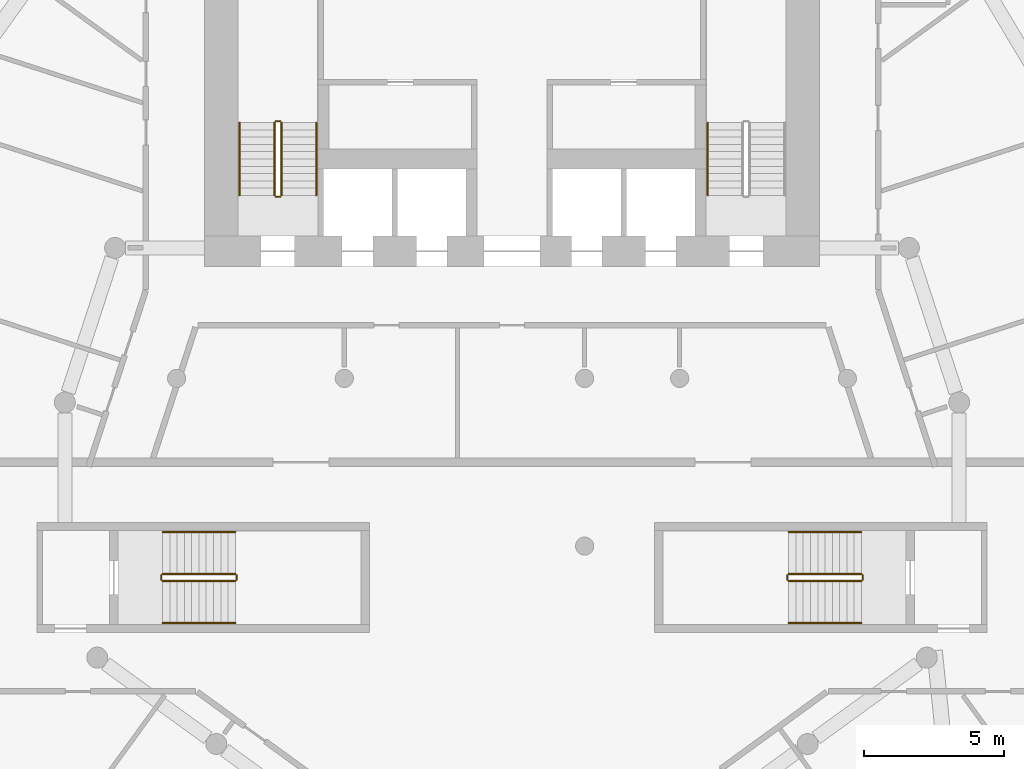
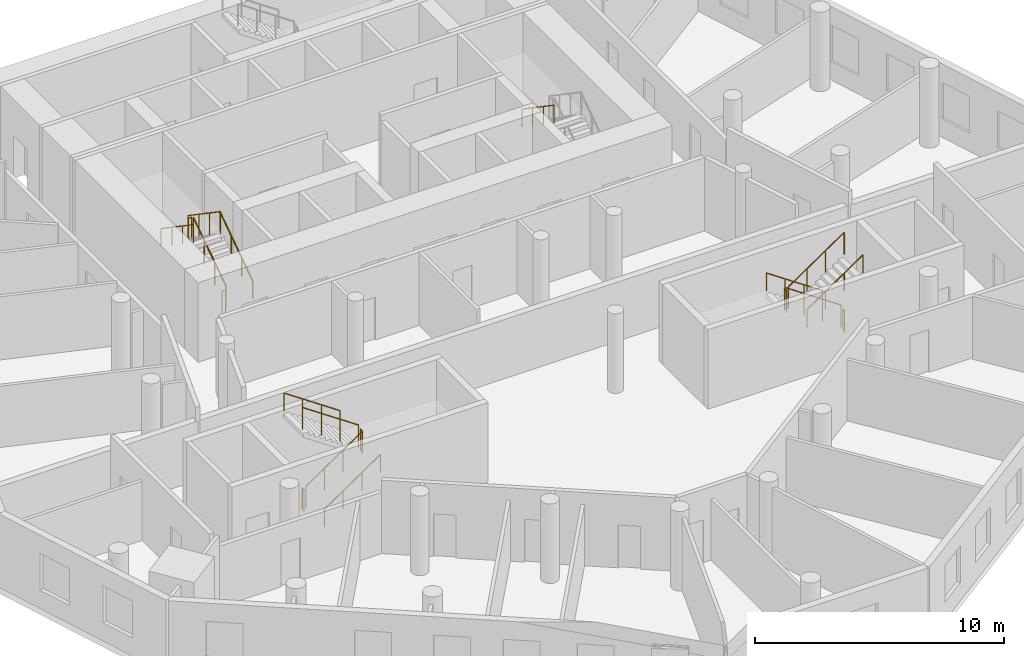
# One storey, part 8 of 9: 19 railings.
"""IFC4 building model written with IfcOpenShell, lengths in metres."""

from ifc_helpers import new_model, si_unit, direction, frame, origin, origin_2d, place, context, subcontext, project, spatial, circle, extrude, material, type_object, element, save


model = new_model("IFC4")

# Units and contexts
model_context = context("Model", 3, precision=1e-05, world=origin(), true_north=direction((0.0, 1.0)))
body_context = subcontext(model_context, "Body", "Model", "MODEL_VIEW")
ifc_project = project(units=[si_unit("LENGTHUNIT", "METRE"), si_unit("AREAUNIT", "SQUARE_METRE"), si_unit("VOLUMEUNIT", "CUBIC_METRE"), si_unit("PLANEANGLEUNIT", "RADIAN"), si_unit("MASSUNIT", "GRAM", prefix="KILO")], contexts=[model_context])

# Site, building, storey
site_placement = place(None, origin())
site = spatial("IfcSite", under=ifc_project, at=site_placement, CompositionType="ELEMENT")
building_placement = place(site_placement, origin())
building = spatial("IfcBuilding", under=site, at=building_placement, Name="White Candle Pilgrim Tower", CompositionType="ELEMENT")
storey_placement = place(building_placement, frame((0.0, 0.0, 106.39990234375)))
storey = spatial("IfcBuildingStorey", under=building, at=storey_placement, Name="L23", CompositionType="ELEMENT", Elevation=106.39990234375)

# Railings
ifc_material = material(Name="Stainless steel", Category="steel")
railing_type_1 = type_object("IfcRailingType", Name="Stair guard stainless steel 1100 mm", PredefinedType="GUARDRAIL", material=ifc_material)
railing_1_placement = place(storey_placement, frame((61.75, 73.550048828125, 0.177490234375)))
element("IfcRailing", 1, at=railing_1_placement, inside=storey, type_object=railing_type_1, Name="L23 ST1 stair guard 1", PredefinedType="GUARDRAIL", context=body_context, shape_type="SweptSolid", body=[
    extrude(circle(Radius=0.02392578125, at=origin_2d()), frame((0.0, 0.0, 1.076171875), z_axis=(0.0, 0.826215852431, 0.563353676824), x_axis=(-1.0, 0.0, 0.0)), (0.0, 0.0, 1.0), 3.146728515625),
    extrude(circle(Radius=0.02099609375, at=origin_2d()), origin(), (0.0, 0.0, 1.0), 1.052001953125),
    extrude(circle(Radius=0.02099609375, at=origin_2d()), frame((0.0, 0.86669921875, 0.5908203125)), (0.0, 0.0, 1.0), 1.052001953125),
    extrude(circle(Radius=0.02099609375, at=origin_2d()), frame((0.0, 1.733154296875, 1.181884765625)), (0.0, 0.0, 1.0), 1.052001953125),
    extrude(circle(Radius=0.02099609375, at=origin_2d()), frame((0.0, 2.599853515625, 1.772705078125)), (0.0, 0.0, 1.0), 1.052001953125),
])
railing_2_placement = place(storey_placement, frame((61.699951171875, 76.199951171875, 1.9501953125)))
element("IfcRailing", 2, at=railing_2_placement, inside=storey, type_object=railing_type_1, Name="L23 ST1 stair guard 2", PredefinedType="GUARDRAIL", context=body_context, shape_type="SweptSolid", body=[
    extrude(circle(Radius=0.02392578125, at=origin_2d()), frame((0.0, 0.0, 1.076171875), z_axis=(-1.0, 0.0, 0.0), x_axis=(0.0, -1.0, 0.0)), (0.0, 0.0, 1.0), 0.14990234375),
    extrude(circle(Radius=0.02099609375, at=origin_2d()), origin(), (0.0, 0.0, 1.0), 1.052001953125),
    extrude(circle(Radius=0.02099609375, at=origin_2d()), frame((-0.14990234375, 0.0, 0.0)), (0.0, 0.0, 1.0), 1.052001953125),
])
railing_3_placement = place(storey_placement, frame((61.5, 76.14990234375, 2.12744140625)))
element("IfcRailing", 3, at=railing_3_placement, inside=storey, type_object=railing_type_1, Name="L23 ST1 stair guard 3", PredefinedType="GUARDRAIL", context=body_context, shape_type="SweptSolid", body=[
    extrude(circle(Radius=0.02392578125, at=origin_2d()), frame((0.0, 0.0, 1.076171875), z_axis=(0.0, -0.826215852431, 0.563353676824), x_axis=(1.0, 0.0, 0.0)), (0.0, 0.0, 1.0), 3.146728515625),
    extrude(circle(Radius=0.02099609375, at=origin_2d()), origin(), (0.0, 0.0, 1.0), 1.052001953125),
    extrude(circle(Radius=0.02099609375, at=origin_2d()), frame((0.0, -0.86669921875, 0.5908203125)), (0.0, 0.0, 1.0), 1.052001953125),
    extrude(circle(Radius=0.02099609375, at=origin_2d()), frame((0.0, -1.733154296875, 1.181884765625)), (0.0, 0.0, 1.0), 1.052001953125),
    extrude(circle(Radius=0.02099609375, at=origin_2d()), frame((0.0, -2.599853515625, 1.772705078125)), (0.0, 0.0, 1.0), 1.052001953125),
])
railing_4_placement = place(storey_placement, frame((61.699951171875, 73.5, 0.0)))
element("IfcRailing", 4, at=railing_4_placement, inside=storey, type_object=railing_type_1, Name="L23 ST1 stair guard 4", PredefinedType="GUARDRAIL", context=body_context, shape_type="SweptSolid", body=[
    extrude(circle(Radius=0.02392578125, at=origin_2d()), frame((0.0, 0.0, 1.076171875), z_axis=(-1.0, 0.0, 0.0), x_axis=(0.0, -1.0, 0.0)), (0.0, 0.0, 1.0), 0.14990234375),
    extrude(circle(Radius=0.02099609375, at=origin_2d()), origin(), (0.0, 0.0, 1.0), 1.052001953125),
    extrude(circle(Radius=0.02099609375, at=origin_2d()), frame((-0.14990234375, 0.0, 0.0)), (0.0, 0.0, 1.0), 1.052001953125),
])
railing_5_placement = place(storey_placement, frame((82.5, 60.0, 0.177490234375)))
element("IfcRailing", 5, at=railing_5_placement, inside=storey, type_object=railing_type_1, Name="L23 ST4 stair guard 1", PredefinedType="GUARDRAIL", context=body_context, shape_type="SweptSolid", body=[
    extrude(circle(Radius=0.02392578125, at=origin_2d()), frame((0.0, 0.0, 1.076171875), z_axis=(-0.826240473404, 0.0, 0.563317565952), x_axis=(0.0, -1.0, 0.0)), (0.0, 0.0, 1.0), 3.14697265625),
    extrude(circle(Radius=0.02099609375, at=origin_2d()), origin(), (0.0, 0.0, 1.0), 1.052001953125),
    extrude(circle(Radius=0.02099609375, at=origin_2d()), frame((-0.86669921875, 0.0, 0.5908203125)), (0.0, 0.0, 1.0), 1.052001953125),
    extrude(circle(Radius=0.02099609375, at=origin_2d()), frame((-1.7333984375, 0.0, 1.181884765625)), (0.0, 0.0, 1.0), 1.052001953125),
    extrude(circle(Radius=0.02099609375, at=origin_2d()), frame((-2.60009765625, 0.0, 1.772705078125)), (0.0, 0.0, 1.0), 1.052001953125),
])
railing_6_placement = place(storey_placement, frame((79.85009765625, 59.949951171875, 1.9501953125)))
element("IfcRailing", 6, at=railing_6_placement, inside=storey, type_object=railing_type_1, Name="L23 ST4 stair guard 2", PredefinedType="GUARDRAIL", context=body_context, shape_type="SweptSolid", body=[
    extrude(circle(Radius=0.02392578125, at=origin_2d()), frame((0.0, 0.0, 1.076171875), z_axis=(0.0, -1.0, 0.0), x_axis=(1.0, 0.0, 0.0)), (0.0, 0.0, 1.0), 0.14990234375),
    extrude(circle(Radius=0.02099609375, at=origin_2d()), origin(), (0.0, 0.0, 1.0), 1.052001953125),
    extrude(circle(Radius=0.02099609375, at=origin_2d()), frame((0.0, -0.14990234375, 0.0)), (0.0, 0.0, 1.0), 1.052001953125),
])
railing_7_placement = place(storey_placement, frame((79.89990234375, 59.75, 2.12744140625)))
element("IfcRailing", 7, at=railing_7_placement, inside=storey, type_object=railing_type_1, Name="L23 ST4 stair guard 3", PredefinedType="GUARDRAIL", context=body_context, shape_type="SweptSolid", body=[
    extrude(circle(Radius=0.02392578125, at=origin_2d()), frame((0.0, 0.0, 1.076171875), z_axis=(0.826240473404, 0.0, 0.563317565952), x_axis=(0.0, 1.0, 0.0)), (0.0, 0.0, 1.0), 3.14697265625),
    extrude(circle(Radius=0.02099609375, at=origin_2d()), origin(), (0.0, 0.0, 1.0), 1.052001953125),
    extrude(circle(Radius=0.02099609375, at=origin_2d()), frame((0.86669921875, 0.0, 0.5908203125)), (0.0, 0.0, 1.0), 1.052001953125),
    extrude(circle(Radius=0.02099609375, at=origin_2d()), frame((1.7333984375, 0.0, 1.181884765625)), (0.0, 0.0, 1.0), 1.052001953125),
    extrude(circle(Radius=0.02099609375, at=origin_2d()), frame((2.60009765625, 0.0, 1.772705078125)), (0.0, 0.0, 1.0), 1.052001953125),
])
railing_8_placement = place(storey_placement, frame((82.550048828125, 59.949951171875, 0.0)))
element("IfcRailing", 8, at=railing_8_placement, inside=storey, type_object=railing_type_1, Name="L23 ST4 stair guard 4", PredefinedType="GUARDRAIL", context=body_context, shape_type="SweptSolid", body=[
    extrude(circle(Radius=0.02392578125, at=origin_2d()), frame((0.0, 0.0, 1.076171875), z_axis=(0.0, -1.0, 0.0), x_axis=(1.0, 0.0, 0.0)), (0.0, 0.0, 1.0), 0.14990234375),
    extrude(circle(Radius=0.02099609375, at=origin_2d()), origin(), (0.0, 0.0, 1.0), 1.052001953125),
    extrude(circle(Radius=0.02099609375, at=origin_2d()), frame((0.0, -0.14990234375, 0.0)), (0.0, 0.0, 1.0), 1.052001953125),
])
railing_9_placement = place(storey_placement, frame((57.5, 59.75, 0.177490234375)))
element("IfcRailing", 9, at=railing_9_placement, inside=storey, type_object=railing_type_1, Name="L23 ST5 stair guard 1", PredefinedType="GUARDRAIL", context=body_context, shape_type="SweptSolid", body=[
    extrude(circle(Radius=0.02392578125, at=origin_2d()), frame((0.0, 0.0, 1.076171875), z_axis=(0.826240473404, 0.0, 0.563317565952), x_axis=(0.0, 1.0, 0.0)), (0.0, 0.0, 1.0), 3.14697265625),
    extrude(circle(Radius=0.02099609375, at=origin_2d()), origin(), (0.0, 0.0, 1.0), 1.052001953125),
    extrude(circle(Radius=0.02099609375, at=origin_2d()), frame((0.86669921875, 0.0, 0.5908203125)), (0.0, 0.0, 1.0), 1.052001953125),
    extrude(circle(Radius=0.02099609375, at=origin_2d()), frame((1.7333984375, 0.0, 1.181884765625)), (0.0, 0.0, 1.0), 1.052001953125),
    extrude(circle(Radius=0.02099609375, at=origin_2d()), frame((2.60009765625, 0.0, 1.772705078125)), (0.0, 0.0, 1.0), 1.052001953125),
])
railing_10_placement = place(storey_placement, frame((60.14990234375, 59.800048828125, 1.9501953125)))
element("IfcRailing", 10, at=railing_10_placement, inside=storey, type_object=railing_type_1, Name="L23 ST5 stair guard 2", PredefinedType="GUARDRAIL", context=body_context, shape_type="SweptSolid", body=[
    extrude(circle(Radius=0.02392578125, at=origin_2d()), frame((0.0, 0.0, 1.076171875), z_axis=(0.0, 1.0, 0.0), x_axis=(-1.0, 0.0, 0.0)), (0.0, 0.0, 1.0), 0.14990234375),
    extrude(circle(Radius=0.02099609375, at=origin_2d()), origin(), (0.0, 0.0, 1.0), 1.052001953125),
    extrude(circle(Radius=0.02099609375, at=origin_2d()), frame((0.0, 0.14990234375, 0.0)), (0.0, 0.0, 1.0), 1.052001953125),
])
railing_11_placement = place(storey_placement, frame((60.10009765625, 60.0, 2.12744140625)))
element("IfcRailing", 11, at=railing_11_placement, inside=storey, type_object=railing_type_1, Name="L23 ST5 stair guard 3", PredefinedType="GUARDRAIL", context=body_context, shape_type="SweptSolid", body=[
    extrude(circle(Radius=0.02392578125, at=origin_2d()), frame((0.0, 0.0, 1.076171875), z_axis=(-0.826240473404, 0.0, 0.563317565952), x_axis=(0.0, -1.0, 0.0)), (0.0, 0.0, 1.0), 3.14697265625),
    extrude(circle(Radius=0.02099609375, at=origin_2d()), origin(), (0.0, 0.0, 1.0), 1.052001953125),
    extrude(circle(Radius=0.02099609375, at=origin_2d()), frame((-0.86669921875, 0.0, 0.5908203125)), (0.0, 0.0, 1.0), 1.052001953125),
    extrude(circle(Radius=0.02099609375, at=origin_2d()), frame((-1.7333984375, 0.0, 1.181884765625)), (0.0, 0.0, 1.0), 1.052001953125),
    extrude(circle(Radius=0.02099609375, at=origin_2d()), frame((-2.60009765625, 0.0, 1.772705078125)), (0.0, 0.0, 1.0), 1.052001953125),
])
railing_12_placement = place(storey_placement, frame((57.449951171875, 59.800048828125, 0.0)))
element("IfcRailing", 12, at=railing_12_placement, inside=storey, type_object=railing_type_1, Name="L23 ST5 stair guard 4", PredefinedType="GUARDRAIL", context=body_context, shape_type="SweptSolid", body=[
    extrude(circle(Radius=0.02392578125, at=origin_2d()), frame((0.0, 0.0, 1.076171875), z_axis=(0.0, 1.0, 0.0), x_axis=(-1.0, 0.0, 0.0)), (0.0, 0.0, 1.0), 0.14990234375),
    extrude(circle(Radius=0.02099609375, at=origin_2d()), origin(), (0.0, 0.0, 1.0), 1.052001953125),
    extrude(circle(Radius=0.02099609375, at=origin_2d()), frame((0.0, 0.14990234375, 0.0)), (0.0, 0.0, 1.0), 1.052001953125),
])
railing_type_2 = type_object("IfcRailingType", Name="Stair handrail stainless steel", PredefinedType="HANDRAIL", material=ifc_material)
railing_13_placement = place(storey_placement, frame((63.0, 73.550048828125, 0.177490234375)))
element("IfcRailing", 13, at=railing_13_placement, inside=storey, type_object=railing_type_2, Name="L23 ST1 stair handrail 1", PredefinedType="HANDRAIL", context=body_context, shape_type="SweptSolid", body=[
    extrude(circle(Radius=0.02392578125, at=origin_2d()), frame((0.0, 0.0, 0.8759765625), z_axis=(0.0, 0.826215852431, 0.563353676824), x_axis=(-1.0, 0.0, 0.0)), (0.0, 0.0, 1.0), 3.146728515625),
    extrude(circle(Radius=0.02099609375, at=origin_2d()), origin(), (0.0, 0.0, 1.0), 0.851806640625),
    extrude(circle(Radius=0.02099609375, at=origin_2d()), frame((0.0, 0.86669921875, 0.5908203125)), (0.0, 0.0, 1.0), 0.851806640625),
    extrude(circle(Radius=0.02099609375, at=origin_2d()), frame((0.0, 1.733154296875, 1.181884765625)), (0.0, 0.0, 1.0), 0.851806640625),
    extrude(circle(Radius=0.02099609375, at=origin_2d()), frame((0.0, 2.599853515625, 1.772705078125)), (0.0, 0.0, 1.0), 0.851806640625),
])
for number, where, name in (
    (14, (60.25, 76.14990234375, 2.12744140625), "L23 ST1 stair handrail 2"),
    (15, (77.0, 76.14990234375, 2.12744140625), "L23 ST2 stair handrail 2"),
):
    element("IfcRailing", number, at=place(storey_placement, frame(where)), inside=storey, type_object=railing_type_2, Name=name, PredefinedType="HANDRAIL", context=body_context, shape_type="SweptSolid", body=[
        extrude(circle(Radius=0.02392578125, at=origin_2d()), frame((0.0, 0.0, 0.8759765625), z_axis=(0.0, -0.826215852431, 0.563353676824), x_axis=(1.0, 0.0, 0.0)), (0.0, 0.0, 1.0), 3.146728515625),
        extrude(circle(Radius=0.02099609375, at=origin_2d()), origin(), (0.0, 0.0, 1.0), 0.851806640625),
        extrude(circle(Radius=0.02099609375, at=origin_2d()), frame((0.0, -0.86669921875, 0.5908203125)), (0.0, 0.0, 1.0), 0.851806640625),
        extrude(circle(Radius=0.02099609375, at=origin_2d()), frame((0.0, -1.733154296875, 1.181884765625)), (0.0, 0.0, 1.0), 0.851806640625),
        extrude(circle(Radius=0.02099609375, at=origin_2d()), frame((0.0, -2.599853515625, 1.772705078125)), (0.0, 0.0, 1.0), 0.851806640625),
    ])
railing_14_placement = place(storey_placement, frame((82.5, 61.5, 0.177490234375)))
element("IfcRailing", 16, at=railing_14_placement, inside=storey, type_object=railing_type_2, Name="L23 ST4 stair handrail 1", PredefinedType="HANDRAIL", context=body_context, shape_type="SweptSolid", body=[
    extrude(circle(Radius=0.02392578125, at=origin_2d()), frame((0.0, 0.0, 0.8759765625), z_axis=(-0.826240473404, 0.0, 0.563317565952), x_axis=(0.0, -1.0, 0.0)), (0.0, 0.0, 1.0), 3.14697265625),
    extrude(circle(Radius=0.02099609375, at=origin_2d()), origin(), (0.0, 0.0, 1.0), 0.851806640625),
    extrude(circle(Radius=0.02099609375, at=origin_2d()), frame((-0.86669921875, 0.0, 0.5908203125)), (0.0, 0.0, 1.0), 0.851806640625),
    extrude(circle(Radius=0.02099609375, at=origin_2d()), frame((-1.7333984375, 0.0, 1.181884765625)), (0.0, 0.0, 1.0), 0.851806640625),
    extrude(circle(Radius=0.02099609375, at=origin_2d()), frame((-2.60009765625, 0.0, 1.772705078125)), (0.0, 0.0, 1.0), 0.851806640625),
])
for number, where, name in (
    (17, (79.89990234375, 58.25, 2.12744140625), "L23 ST4 stair handrail 2"),
    (18, (57.5, 58.25, 0.177490234375), "L23 ST5 stair handrail 1"),
):
    element("IfcRailing", number, at=place(storey_placement, frame(where)), inside=storey, type_object=railing_type_2, Name=name, PredefinedType="HANDRAIL", context=body_context, shape_type="SweptSolid", body=[
        extrude(circle(Radius=0.02392578125, at=origin_2d()), frame((0.0, 0.0, 0.8759765625), z_axis=(0.826240473404, 0.0, 0.563317565952), x_axis=(0.0, 1.0, 0.0)), (0.0, 0.0, 1.0), 3.14697265625),
        extrude(circle(Radius=0.02099609375, at=origin_2d()), origin(), (0.0, 0.0, 1.0), 0.851806640625),
        extrude(circle(Radius=0.02099609375, at=origin_2d()), frame((0.86669921875, 0.0, 0.5908203125)), (0.0, 0.0, 1.0), 0.851806640625),
        extrude(circle(Radius=0.02099609375, at=origin_2d()), frame((1.7333984375, 0.0, 1.181884765625)), (0.0, 0.0, 1.0), 0.851806640625),
        extrude(circle(Radius=0.02099609375, at=origin_2d()), frame((2.60009765625, 0.0, 1.772705078125)), (0.0, 0.0, 1.0), 0.851806640625),
    ])
railing_15_placement = place(storey_placement, frame((60.10009765625, 61.5, 2.12744140625)))
element("IfcRailing", 19, at=railing_15_placement, inside=storey, type_object=railing_type_2, Name="L23 ST5 stair handrail 2", PredefinedType="HANDRAIL", context=body_context, shape_type="SweptSolid", body=[
    extrude(circle(Radius=0.02392578125, at=origin_2d()), frame((0.0, 0.0, 0.8759765625), z_axis=(-0.826240473404, 0.0, 0.563317565952), x_axis=(0.0, -1.0, 0.0)), (0.0, 0.0, 1.0), 3.14697265625),
    extrude(circle(Radius=0.02099609375, at=origin_2d()), origin(), (0.0, 0.0, 1.0), 0.851806640625),
    extrude(circle(Radius=0.02099609375, at=origin_2d()), frame((-0.86669921875, 0.0, 0.5908203125)), (0.0, 0.0, 1.0), 0.851806640625),
    extrude(circle(Radius=0.02099609375, at=origin_2d()), frame((-1.7333984375, 0.0, 1.181884765625)), (0.0, 0.0, 1.0), 0.851806640625),
    extrude(circle(Radius=0.02099609375, at=origin_2d()), frame((-2.60009765625, 0.0, 1.772705078125)), (0.0, 0.0, 1.0), 0.851806640625),
])

save(model, "model.ifc")
